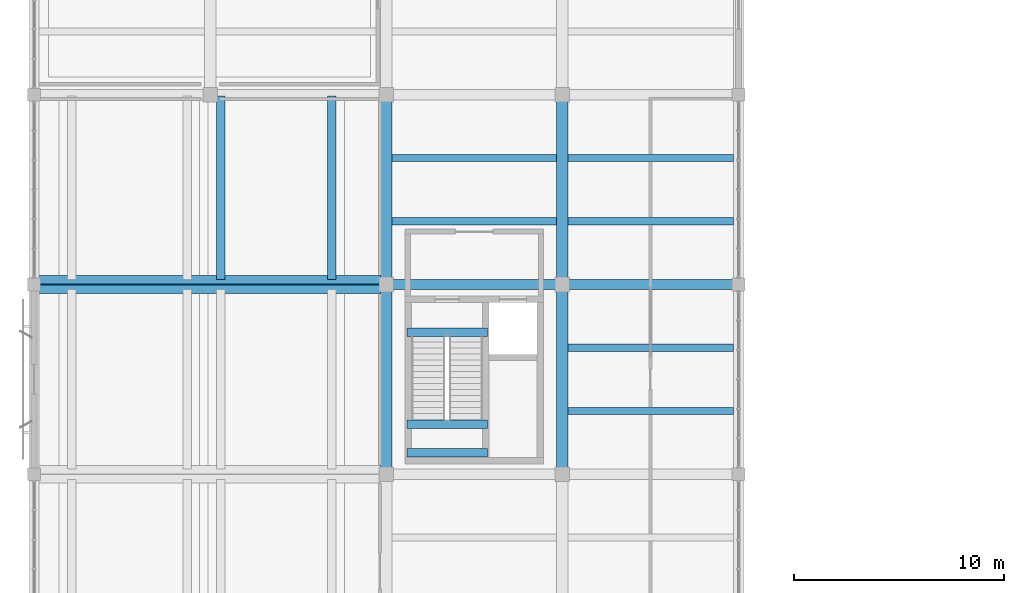
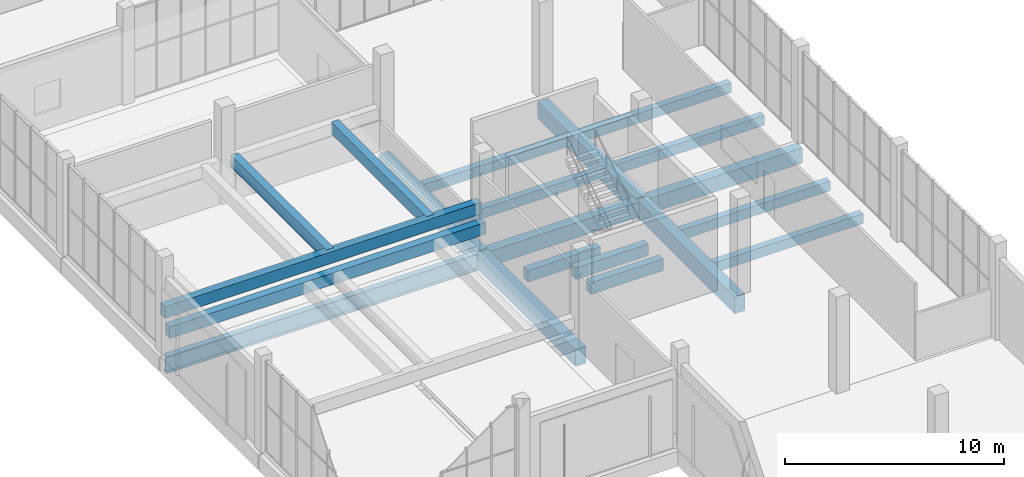
# One storey, part 45 of 132: 20 beams.
"""IFC4 building model written with IfcOpenShell, lengths in metres."""

from ifc_helpers import new_model, si_unit, direction, frame, origin, origin_2d, place, context, subcontext, project, spatial, rectangle, i_section, extrude, material, material_profile, profile_set, type_object, element, save


model = new_model("IFC4")

# Units and contexts
model_context = context("Model", 3, precision=1e-05, world=origin(), true_north=direction((0.0, 1.0)))
body_context = subcontext(model_context, "Body", "Model", "MODEL_VIEW")
ifc_project = project(units=[si_unit("LENGTHUNIT", "METRE"), si_unit("AREAUNIT", "SQUARE_METRE"), si_unit("VOLUMEUNIT", "CUBIC_METRE"), si_unit("PLANEANGLEUNIT", "RADIAN"), si_unit("MASSUNIT", "GRAM", prefix="KILO")], contexts=[model_context])

# Site, building, storey
site_placement = place(None, origin())
site = spatial("IfcSite", under=ifc_project, at=site_placement, CompositionType="ELEMENT")
building_placement = place(site_placement, origin())
building = spatial("IfcBuilding", under=site, at=building_placement, Name="Khurvash Pelagic Aquarium", CompositionType="ELEMENT")
storey_placement = place(building_placement, frame((0.0, 0.0, 5.39990234375)))
storey = spatial("IfcBuildingStorey", under=building, at=storey_placement, Name="L01", CompositionType="ELEMENT", Elevation=5.39990234375)

# Beams
ifc_material_1 = material(Name="Concrete C40/50", Category="concrete")
ifc_material_profile_1 = material_profile(ifc_material_1, rectangle(XDim=0.550048828125, YDim=0.949951171875, at=origin_2d()), Name="RC550X950")
ifc_profile_set_1 = profile_set([ifc_material_profile_1], Name="Concrete C40/50")
beam_type_1 = type_object("IfcBeamType", Name="BM-02", PredefinedType="BEAM", material=ifc_profile_set_1)
for number, where, z_axis, x_axis, name in (
    (1, (16.800048828125, 65.989990234375, -0.784912109375), (0.0, 1.0, 0.0), (-1.0, 0.0, 0.0), "L01 Primary Girder BM-02 00356"),
    (2, (16.800048828125, 75.0400390625, -0.784912109375), (0.0, 1.0, 0.0), (-1.0, 0.0, 0.0), "L01 Primary Girder BM-02 00357"),
    (3, (25.199951171875, 65.989990234375, -0.784912109375), (0.0, 1.0, 0.0), (-1.0, 0.0, 0.0), "L01 Primary Girder BM-02 00366"),
    (4, (25.199951171875, 75.0400390625, -0.784912109375), (0.0, 1.0, 0.0), (-1.0, 0.0, 0.0), "L01 Primary Girder BM-02 00367"),
):
    element("IfcBeam", number, at=place(storey_placement, frame(where, z_axis=z_axis, x_axis=x_axis)), inside=storey, type_object=beam_type_1, Name=name, PredefinedType="BEAM", context=body_context, shape_type="SweptSolid", body=[
        extrude(rectangle(XDim=0.550048828125, YDim=0.949951171875, at=origin_2d()), origin(), (0.0, 0.0, 1.0), 8.969970703125),
    ])
ifc_material_profile_2 = material_profile(ifc_material_1, rectangle(XDim=0.5, YDim=0.85009765625, at=origin_2d()), Name="RC500X850")
ifc_profile_set_2 = profile_set([ifc_material_profile_2], Name="Concrete C40/50")
beam_type_2 = type_object("IfcBeamType", Name="BM-03", PredefinedType="BEAM", material=ifc_profile_set_2)
beam_1_placement = place(storey_placement, frame((16.840087890625, 75.0, -0.744873046875), z_axis=(1.0, 0.0, 0.0), x_axis=(0.0, 1.0, 0.0)))
element("IfcBeam", 5, at=beam_1_placement, inside=storey, type_object=beam_type_2, Name="L01 Primary Girder BM-03 00301", PredefinedType="BEAM", context=body_context, shape_type="SweptSolid", body=[
    extrude(rectangle(XDim=0.5, YDim=0.85009765625, at=origin_2d()), origin(), (0.0, 0.0, 1.0), 8.31982421875),
])
beam_2_placement = place(storey_placement, frame((25.239990234375, 75.0, -0.744873046875), z_axis=(1.0, 0.0, 0.0), x_axis=(0.0, 1.0, 0.0)))
element("IfcBeam", 6, at=beam_2_placement, inside=storey, type_object=beam_type_2, Name="L01 Primary Girder BM-03 00302", PredefinedType="BEAM", context=body_context, shape_type="SweptSolid", body=[
    extrude(rectangle(XDim=0.5, YDim=0.85009765625, at=origin_2d()), origin(), (0.0, 0.0, 1.0), 8.320068359375),
])
ifc_material_2 = material(Name="Concrete C35/45", Category="concrete")
ifc_material_profile_3 = material_profile(ifc_material_2, rectangle(XDim=0.39990234375, YDim=0.64990234375, at=origin_2d()), Name="RC400X650")
ifc_profile_set_3 = profile_set([ifc_material_profile_3], Name="Concrete C35/45")
beam_type_3 = type_object("IfcBeamType", Name="BM-05", PredefinedType="BEAM", material=ifc_profile_set_3)
for number, where, z_axis, x_axis, name in (
    (7, (0.0400390625, 74.780029296875, 1.18505859375), (1.0, 0.0, 0.0), (0.0, 1.0, 0.0), "L01 Auditorium Seating Tier Girder BM-05 2"),
    (8, (0.0400390625, 75.219970703125, 2.045166015625), (1.0, 0.0, 0.0), (0.0, 1.0, 0.0), "L01 Auditorium Seating Tier Girder BM-05 3"),
):
    element("IfcBeam", number, at=place(storey_placement, frame(where, z_axis=z_axis, x_axis=x_axis)), inside=storey, type_object=beam_type_3, Name=name, PredefinedType="BEAM", context=body_context, shape_type="SweptSolid", body=[
        extrude(rectangle(XDim=0.39990234375, YDim=0.64990234375, at=origin_2d()), origin(), (0.0, 0.0, 1.0), 16.719970703125),
    ])
for number, where, z_axis, x_axis, name in (
    (9, (8.89990234375, 75.25, 2.045166015625), (0.0, 1.0, 0.0), (-1.0, 0.0, 0.0), "L01 Auditorium Tier Stringer Beam BM-05"),
    (10, (14.199951171875, 75.25, 2.045166015625), (0.0, 1.0, 0.0), (-1.0, 0.0, 0.0), "L01 Auditorium Tier Stringer Beam BM-05"),
):
    element("IfcBeam", number, at=place(storey_placement, frame(where, z_axis=z_axis, x_axis=x_axis)), inside=storey, type_object=beam_type_3, Name=name, PredefinedType="BEAM", context=body_context, shape_type="SweptSolid", body=[
        extrude(rectangle(XDim=0.39990234375, YDim=0.64990234375, at=origin_2d()), origin(), (0.0, 0.0, 1.0), 8.75),
    ])
for number, where, z_axis, x_axis, name in (
    (11, (17.780029296875, 72.72998046875, -0.635009765625), (1.0, 0.0, 0.0), (0.0, 1.0, 0.0), "L01 Stair ST-05 Header Trimmer Beam BM-05"),
    (12, (17.780029296875, 66.969970703125, 2.175048828125), (1.0, 0.0, 0.0), (0.0, 1.0, 0.0), "L01 Stair ST-05 Mid-Landing Trimmer Beam BM-05"),
    (13, (17.780029296875, 68.340087890625, 2.175048828125), (1.0, 0.0, 0.0), (0.0, 1.0, 0.0), "L01 Stair ST-05 Mid-Landing Trimmer Beam BM-05"),
):
    element("IfcBeam", number, at=place(storey_placement, frame(where, z_axis=z_axis, x_axis=x_axis)), inside=storey, type_object=beam_type_3, Name=name, PredefinedType="BEAM", context=body_context, shape_type="SweptSolid", body=[
        extrude(rectangle(XDim=0.39990234375, YDim=0.64990234375, at=origin_2d()), origin(), (0.0, 0.0, 1.0), 3.840087890625),
    ])
ifc_material_3 = material(Name="Steel ASTM A992 Grade 50", Category="steel")
ifc_material_profile_4 = material_profile(ifc_material_3, i_section(OverallWidth=0.31005859375, OverallDepth=0.931884765625, WebThickness=0.02099609375, FlangeThickness=0.034423828125, at=origin_2d()), Name="W36X210")
ifc_profile_set_4 = profile_set([ifc_material_profile_4], Name="Steel ASTM A992 Grade 50")
beam_type_4 = type_object("IfcBeamType", Name="BM-07", PredefinedType="BEAM", material=ifc_profile_set_4)
beam_3_placement = place(storey_placement, frame((0.0400390625, 75.0, -0.785888671875), z_axis=(1.0, 0.0, 0.0), x_axis=(0.0, 1.0, 0.0)))
element("IfcBeam", 14, at=beam_3_placement, inside=storey, type_object=beam_type_4, Name="L01 Primary Girder BM-07 00300", PredefinedType="BEAM", context=body_context, shape_type="SweptSolid", body=[
    extrude(i_section(OverallWidth=0.31005859375, OverallDepth=0.931884765625, WebThickness=0.02099609375, FlangeThickness=0.034423828125, at=origin_2d()), origin(), (0.0, 0.0, 1.0), 16.719970703125),
])
ifc_material_profile_5 = material_profile(ifc_material_2, rectangle(XDim=0.35009765625, YDim=0.550048828125, at=origin_2d()), Name="RC350X550")
ifc_profile_set_5 = profile_set([ifc_material_profile_5], Name="Concrete C35/45")
beam_type_5 = type_object("IfcBeamType", Name="JS-01", PredefinedType="JOIST", material=ifc_profile_set_5)
for number, where, z_axis, x_axis, name in (
    (15, (17.074951171875, 78.01708984375, -0.5849609375), (1.0, 0.0, 0.0), (0.0, 1.0, 0.0), "L01 Floor Joist JS-01 00454"),
    (16, (17.074951171875, 81.032958984375, -0.5849609375), (1.0, 0.0, 0.0), (0.0, 1.0, 0.0), "L01 Floor Joist JS-01 00455"),
):
    element("IfcBeam", number, at=place(storey_placement, frame(where, z_axis=z_axis, x_axis=x_axis)), inside=storey, type_object=beam_type_5, Name=name, PredefinedType="JOIST", context=body_context, shape_type="SweptSolid", body=[
        extrude(rectangle(XDim=0.35009765625, YDim=0.550048828125, at=origin_2d()), origin(), (0.0, 0.0, 1.0), 7.85009765625),
    ])
for number, where, z_axis, x_axis, name in (
    (17, (25.47509765625, 68.967041015625, -0.5849609375), (1.0, 0.0, 0.0), (0.0, 1.0, 0.0), "L01 Floor Joist JS-01 00470"),
    (18, (25.47509765625, 71.98291015625, -0.5849609375), (1.0, 0.0, 0.0), (0.0, 1.0, 0.0), "L01 Floor Joist JS-01 00471"),
    (19, (25.47509765625, 78.01708984375, -0.5849609375), (1.0, 0.0, 0.0), (0.0, 1.0, 0.0), "L01 Floor Joist JS-01 00472"),
    (20, (25.47509765625, 81.032958984375, -0.5849609375), (1.0, 0.0, 0.0), (0.0, 1.0, 0.0), "L01 Floor Joist JS-01 00473"),
):
    element("IfcBeam", number, at=place(storey_placement, frame(where, z_axis=z_axis, x_axis=x_axis)), inside=storey, type_object=beam_type_5, Name=name, PredefinedType="JOIST", context=body_context, shape_type="SweptSolid", body=[
        extrude(rectangle(XDim=0.35009765625, YDim=0.550048828125, at=origin_2d()), origin(), (0.0, 0.0, 1.0), 7.875),
    ])

save(model, "model.ifc")
